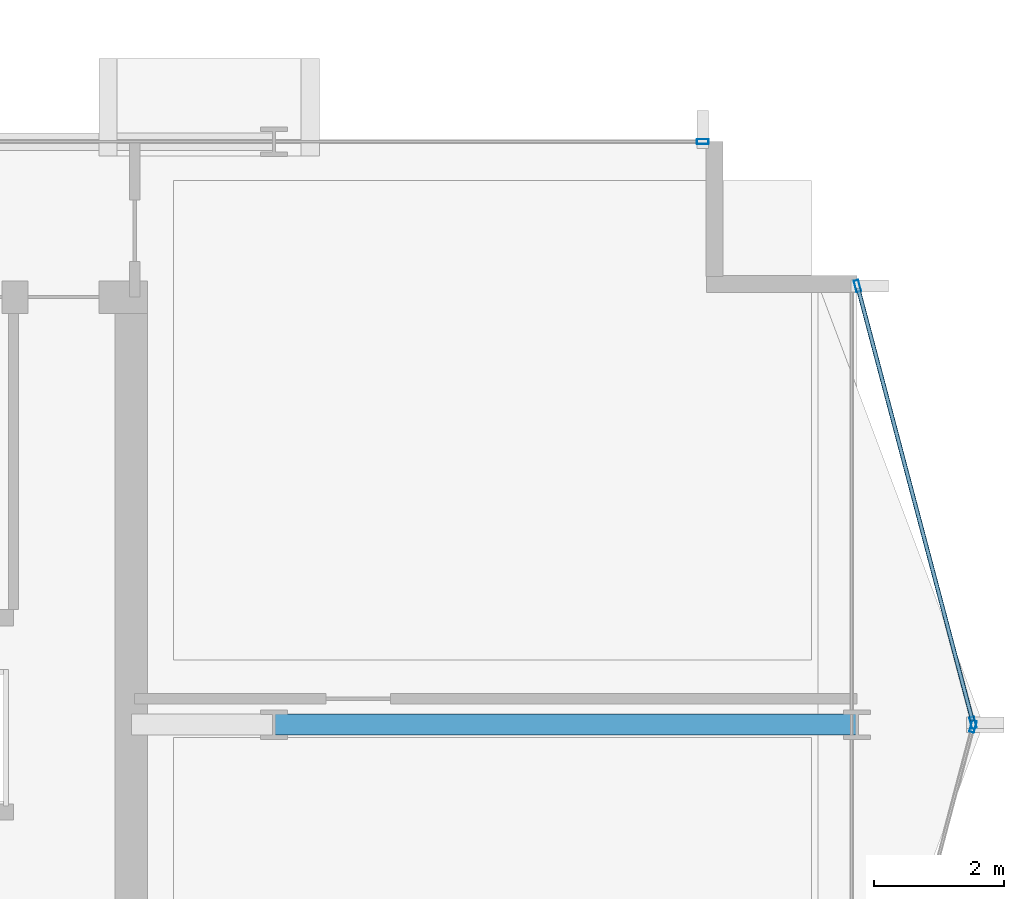
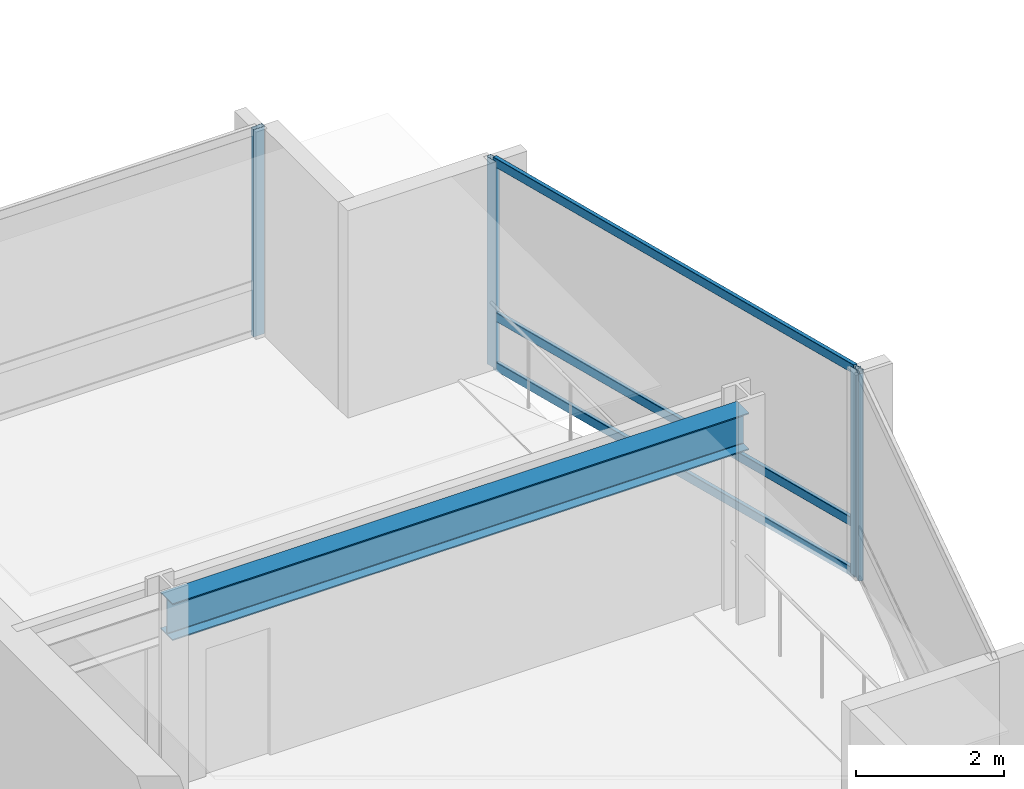
# One storey, part 14 of 28: 7 members, 1 beam, 3 elements without a shape of their own.
"""IFC4 building model written with IfcOpenShell, lengths in metres."""

from ifc_helpers import new_model, si_unit, direction, frame, origin, origin_2d, place, context, subcontext, project, spatial, hollow_rectangle, i_section, extrude, material, layer, layer_set, material_profile, profile_set, type_object, element, aggregate, save


model = new_model("IFC4")

# Units and contexts
model_context = context("Model", 3, precision=1e-05, world=origin(), true_north=direction((0.0, 1.0)))
body_context = subcontext(model_context, "Body", "Model", "MODEL_VIEW")
ifc_project = project(units=[si_unit("LENGTHUNIT", "METRE"), si_unit("AREAUNIT", "SQUARE_METRE"), si_unit("VOLUMEUNIT", "CUBIC_METRE"), si_unit("PLANEANGLEUNIT", "RADIAN"), si_unit("MASSUNIT", "GRAM", prefix="KILO")], contexts=[model_context])

# Site, building, storey
site_placement = place(None, origin())
site = spatial("IfcSite", under=ifc_project, at=site_placement, CompositionType="ELEMENT")
building_placement = place(site_placement, origin())
building = spatial("IfcBuilding", under=site, at=building_placement, Name="Solvaryn Broadcast Tower", CompositionType="ELEMENT")
storey_placement = place(building_placement, frame((0.0, 0.0, 135.89990234375)))
storey = spatial("IfcBuildingStorey", under=building, at=storey_placement, Name="L33", CompositionType="ELEMENT", Elevation=135.89990234375)

# Beam
ifc_material_1 = material(Name="Steel ASTM A992 Grade 50", Category="steel")
ifc_material_profile_1 = material_profile(ifc_material_1, i_section(OverallWidth=0.323974609375, OverallDepth=0.611083984375, WebThickness=0.0126953125, FlangeThickness=0.01904296875, FilletRadius=0.014892578125, at=origin_2d()))
ifc_profile_set_1 = profile_set([ifc_material_profile_1], Name="Steel ASTM A992 Grade 50")
beam_type = type_object("IfcBeamType", Name="BM-B1-W24X104", PredefinedType="BEAM", material=ifc_profile_set_1)
beam_placement = place(storey_placement, frame((45.0, 18.0, 3.114501953125), z_axis=(1.0, 0.0, 0.0), x_axis=(0.0, 1.0, 0.0)))
element("IfcBeam", 1, at=beam_placement, inside=storey, type_object=beam_type, Name="L33 Primary Beam X (45-54 @ Y=18)", PredefinedType="BEAM", context=body_context, shape_type="SweptSolid", body=[
    extrude(i_section(OverallWidth=0.323974609375, OverallDepth=0.611083984375, WebThickness=0.0126953125, FlangeThickness=0.01904296875, FilletRadius=0.014892578125, at=origin_2d()), origin(), (0.0, 0.0, 1.0), 9.0),
])

# Curtain wall, members
ifc_material_2 = material(Name="Aluminium and Terracotta Unitised Curtain Wall", Category="masonry")
ifc_layer = layer(ifc_material_2, 0.199951171875)
ifc_layer_set = layer_set([ifc_layer], Name="CW-SYS2-LOWMID")
curtain_wall_type = type_object("IfcCurtainWallType", Name="CW-SYS2-LOWMID", PredefinedType="NOTDEFINED", material=ifc_layer_set)
curtain_wall_1_placement = place(storey_placement, origin())
curtain_wall_1 = element("IfcCurtainWall", 2, at=curtain_wall_1_placement, inside=storey, type_object=curtain_wall_type, Name="L33 Curtain Wall ET1", PredefinedType="NOTDEFINED")
ifc_material_3 = material(Name="Anodised Aluminium 6063-T6", Category="aluminium")
ifc_material_profile_2 = material_profile(ifc_material_3, hollow_rectangle(XDim=0.074951171875, YDim=0.179931640625, WallThickness=0.00390625, InnerFilletRadius=0.00390625, OuterFilletRadius=0.008056640625, at=origin_2d()))
ifc_profile_set_2 = profile_set([ifc_material_profile_2], Name="Anodised Aluminium 6063-T6")
member_type_1 = type_object("IfcMemberType", Name="CW-MUL-180", PredefinedType="MULLION", material=ifc_profile_set_2)
member_1_placement = place(storey_placement, frame((54.007568359375, 24.77099609375, 0.0), z_axis=(0.0, 0.0, 1.0), x_axis=(0.966705227863, 0.25589256031, 0.0)))
member_1 = element("IfcMember", 3, at=member_1_placement, type_object=member_type_1, Name="CWS2 mullion 1", PredefinedType="MULLION", context=body_context, shape_type="SweptSolid", body=[
    extrude(hollow_rectangle(XDim=0.074951171875, YDim=0.179931640625, WallThickness=0.00390625, InnerFilletRadius=0.00390625, OuterFilletRadius=0.008056640625, at=origin_2d()), origin(), (0.0, 0.0, 1.0), 3.420166015625),
])
member_2_placement = place(storey_placement, frame((55.792236328125, 18.029052734375, 0.0), z_axis=(0.0, 0.0, 1.0), x_axis=(0.966705227863, 0.25589256031, 0.0)))
member_2 = element("IfcMember", 4, at=member_2_placement, type_object=member_type_1, Name="CWS2 mullion 2", PredefinedType="MULLION", context=body_context, shape_type="SweptSolid", body=[
    extrude(hollow_rectangle(XDim=0.074951171875, YDim=0.179931640625, WallThickness=0.00390625, InnerFilletRadius=0.00390625, OuterFilletRadius=0.008056640625, at=origin_2d()), origin(), (0.0, 0.0, 1.0), 3.420166015625),
])

# Curtain wall, member
curtain_wall_2_placement = place(storey_placement, origin())
curtain_wall_2 = element("IfcCurtainWall", 5, at=curtain_wall_2_placement, inside=storey, type_object=curtain_wall_type, Name="L33 Curtain Wall ET2", PredefinedType="NOTDEFINED")
member_3_placement = place(storey_placement, frame((55.792236328125, 17.970947265625, 0.0), z_axis=(0.0, 0.0, 1.0), x_axis=(0.966705227863, -0.25589256031, 0.0)))
member_3 = element("IfcMember", 6, at=member_3_placement, type_object=member_type_1, Name="CWS2 mullion 1", PredefinedType="MULLION", context=body_context, shape_type="SweptSolid", body=[
    extrude(hollow_rectangle(XDim=0.074951171875, YDim=0.179931640625, WallThickness=0.00390625, InnerFilletRadius=0.00390625, OuterFilletRadius=0.008056640625, at=origin_2d()), origin(), (0.0, 0.0, 1.0), 3.420166015625),
])
aggregate(curtain_wall_2, [member_3])

curtain_wall_3_placement = place(storey_placement, origin())
curtain_wall_3 = element("IfcCurtainWall", 7, at=curtain_wall_3_placement, inside=storey, type_object=curtain_wall_type, Name="L33 Curtain Wall IH", PredefinedType="NOTDEFINED")
member_4_placement = place(storey_placement, frame((51.6201171875, 27.0, 0.0), z_axis=(0.0, 0.0, 1.0), x_axis=(0.0, 1.0, 0.0)))
member_4 = element("IfcMember", 8, at=member_4_placement, type_object=member_type_1, Name="CWS2 mullion 2", PredefinedType="MULLION", context=body_context, shape_type="SweptSolid", body=[
    extrude(hollow_rectangle(XDim=0.074951171875, YDim=0.179931640625, WallThickness=0.00390625, InnerFilletRadius=0.00390625, OuterFilletRadius=0.008056640625, at=origin_2d()), origin(), (0.0, 0.0, 1.0), 3.420166015625),
])
aggregate(curtain_wall_3, [member_4])

# Member
ifc_material_4 = material(Name="Anodised Aluminium 6063-T6", Category="aluminium")
ifc_material_profile_3 = material_profile(ifc_material_4, hollow_rectangle(XDim=0.06494140625, YDim=0.14990234375, WallThickness=0.00390625, InnerFilletRadius=0.00390625, OuterFilletRadius=0.008056640625, at=origin_2d()))
ifc_profile_set_3 = profile_set([ifc_material_profile_3], Name="Anodised Aluminium 6063-T6")
member_type_2 = type_object("IfcMemberType", Name="CW-TRN-150", PredefinedType="USERDEFINED", material=ifc_profile_set_3)
member_5_placement = place(storey_placement, frame((54.015380859375, 24.741943359375, 0.030029296875), z_axis=(0.255897413051, -0.966703943301, 0.0), x_axis=(0.966703943301, 0.255897413051, 0.0)))
member_5 = element("IfcMember", 9, at=member_5_placement, type_object=member_type_2, Name="CWS2 transom 1.1", ObjectType="TRANSOM", PredefinedType="USERDEFINED", context=body_context, shape_type="SweptSolid", body=[
    extrude(hollow_rectangle(XDim=0.06494140625, YDim=0.14990234375, WallThickness=0.00390625, InnerFilletRadius=0.00390625, OuterFilletRadius=0.008056640625, at=origin_2d()), origin(), (0.0, 0.0, 1.0), 6.9140625),
])

member_6_placement = place(storey_placement, frame((54.015380859375, 24.741943359375, 0.85009765625), z_axis=(0.255897413051, -0.966703943301, 0.0), x_axis=(0.966703943301, 0.255897413051, 0.0)))
member_6 = element("IfcMember", 10, at=member_6_placement, type_object=member_type_2, Name="CWS2 transom 1.2", ObjectType="TRANSOM", PredefinedType="USERDEFINED", context=body_context, shape_type="SweptSolid", body=[
    extrude(hollow_rectangle(XDim=0.06494140625, YDim=0.14990234375, WallThickness=0.00390625, InnerFilletRadius=0.00390625, OuterFilletRadius=0.008056640625, at=origin_2d()), origin(), (0.0, 0.0, 1.0), 6.9140625),
])

member_7_placement = place(storey_placement, frame((54.015380859375, 24.741943359375, 3.39013671875), z_axis=(0.255897413051, -0.966703943301, 0.0), x_axis=(0.966703943301, 0.255897413051, 0.0)))
member_7 = element("IfcMember", 11, at=member_7_placement, type_object=member_type_2, Name="CWS2 transom 1.3", ObjectType="TRANSOM", PredefinedType="USERDEFINED", context=body_context, shape_type="SweptSolid", body=[
    extrude(hollow_rectangle(XDim=0.06494140625, YDim=0.14990234375, WallThickness=0.00390625, InnerFilletRadius=0.00390625, OuterFilletRadius=0.008056640625, at=origin_2d()), origin(), (0.0, 0.0, 1.0), 6.9140625),
])

aggregate(curtain_wall_1, [member_1, member_2, member_5, member_6, member_7])

save(model, "model.ifc")
